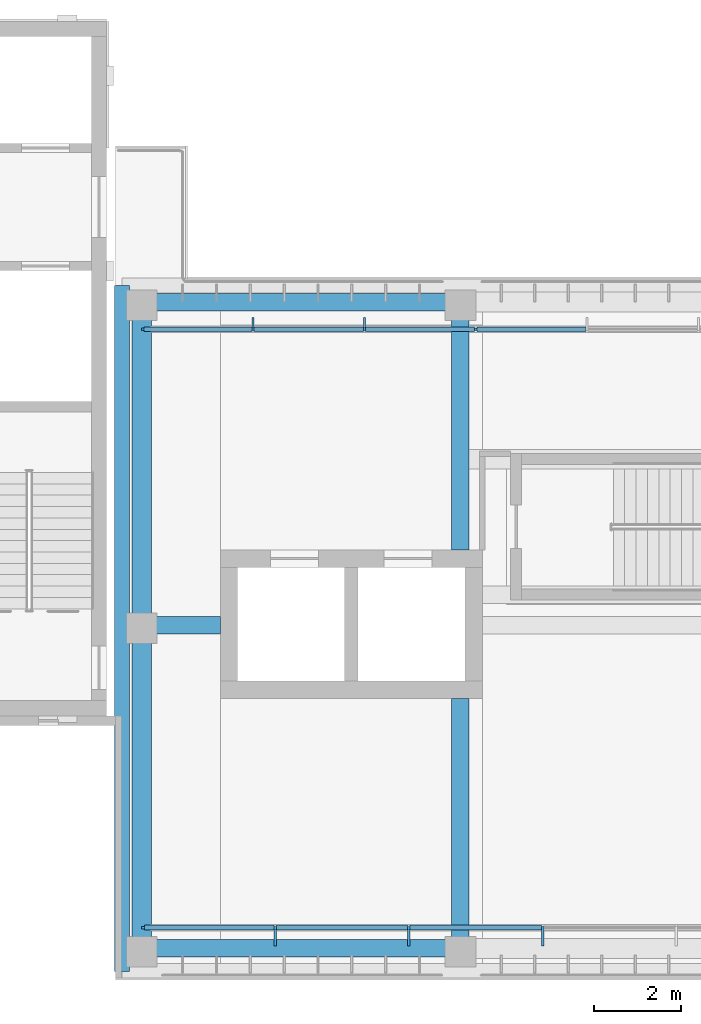
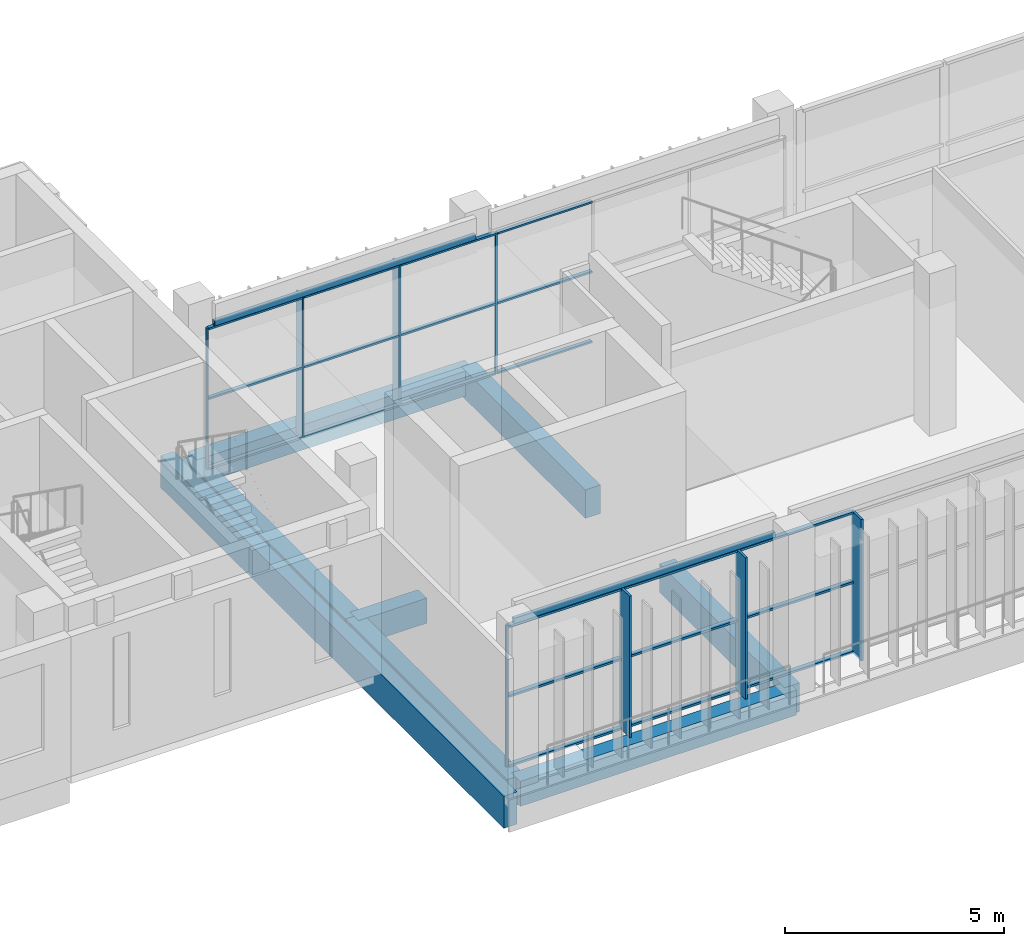
# One storey, part 2 of 46: 29 members, 10 beams, 2 elements without a shape of their own.
"""IFC4 building model written with IfcOpenShell, lengths in metres."""

from ifc_helpers import new_model, si_unit, direction, frame, origin, origin_2d, place, context, subcontext, project, spatial, rectangle, hollow_rectangle, extrude, material, material_profile, profile_set, type_object, element, aggregate, save


model = new_model("IFC4")

# Units and contexts
model_context = context("Model", 3, precision=1e-05, world=origin(), true_north=direction((0.0, 1.0)))
body_context = subcontext(model_context, "Body", "Model", "MODEL_VIEW")
ifc_project = project(units=[si_unit("LENGTHUNIT", "METRE"), si_unit("AREAUNIT", "SQUARE_METRE"), si_unit("VOLUMEUNIT", "CUBIC_METRE"), si_unit("PLANEANGLEUNIT", "RADIAN"), si_unit("MASSUNIT", "GRAM", prefix="KILO")], contexts=[model_context])

# Site, building, storey
site_placement = place(None, origin())
site = spatial("IfcSite", under=ifc_project, at=site_placement, CompositionType="ELEMENT")
building_placement = place(site_placement, origin())
building = spatial("IfcBuilding", under=site, at=building_placement, Name="Lantern Court Media Centre", CompositionType="ELEMENT")
storey_placement = place(building_placement, frame((0.0, 0.0, 28.800048828125)))
storey = spatial("IfcBuildingStorey", under=building, at=storey_placement, Name="L06", CompositionType="ELEMENT", Elevation=28.800048828125)

# Curtain wall, members
ifc_material_1 = material(Name="Curtain wall bay 2400")
curtain_wall_type_1 = type_object("IfcCurtainWallType", Name="Curtain wall bay 2400", PredefinedType="NOTDEFINED", material=ifc_material_1)
curtain_wall_1_placement = place(storey_placement, origin())
curtain_wall_1 = element("IfcCurtainWall", 1, at=curtain_wall_1_placement, inside=storey, type_object=curtain_wall_type_1, Name="Curtain wall S inner L06", PredefinedType="NOTDEFINED")
ifc_material_2 = material(Name="Anodised aluminium", Category="aluminium")
ifc_material_profile_1 = material_profile(ifc_material_2, rectangle(XDim=0.300048828125, YDim=0.050048828125, at=origin_2d()), Name="AL 50x300")
ifc_profile_set_1 = profile_set([ifc_material_profile_1], Name="Anodised aluminium")
member_type_1 = type_object("IfcMemberType", Name="Curtain wall mullion 50x300", PredefinedType="MULLION", material=ifc_profile_set_1)
member_1_placement = place(storey_placement, frame((27.25, 56.969970703125, 0.0), z_axis=(0.0, 0.0, 1.0), x_axis=(0.0, 1.0, 0.0)))
member_1 = element("IfcMember", 2, at=member_1_placement, type_object=member_type_1, Name="CW2 mullion 2", PredefinedType="MULLION", context=body_context, shape_type="SweptSolid", body=[
    extrude(rectangle(XDim=0.300048828125, YDim=0.050048828125, at=origin_2d()), origin(), (0.0, 0.0, 1.0), 3.949951171875),
])
member_2_placement = place(storey_placement, frame((29.800048828125, 56.969970703125, 0.0), z_axis=(0.0, 0.0, 1.0), x_axis=(0.0, 1.0, 0.0)))
member_2 = element("IfcMember", 3, at=member_2_placement, type_object=member_type_1, Name="CW2 mullion 3", PredefinedType="MULLION", context=body_context, shape_type="SweptSolid", body=[
    extrude(rectangle(XDim=0.300048828125, YDim=0.050048828125, at=origin_2d()), origin(), (0.0, 0.0, 1.0), 3.949951171875),
])
ifc_material_profile_2 = material_profile(ifc_material_2, rectangle(XDim=0.06005859375, YDim=0.050048828125, at=origin_2d()), Name="AL 50x60")
ifc_profile_set_2 = profile_set([ifc_material_profile_2], Name="Anodised aluminium")
member_type_2 = type_object("IfcMemberType", Name="Curtain wall mullion 50x60", PredefinedType="MULLION", material=ifc_profile_set_2)
member_3_placement = place(storey_placement, frame((24.72509765625, 56.85009765625, 0.0), z_axis=(0.0, 0.0, 1.0), x_axis=(0.0, 1.0, 0.0)))
member_3 = element("IfcMember", 4, at=member_3_placement, type_object=member_type_2, Name="CW2 mullion 1", PredefinedType="MULLION", context=body_context, shape_type="SweptSolid", body=[
    extrude(rectangle(XDim=0.06005859375, YDim=0.050048828125, at=origin_2d()), origin(), (0.0, 0.0, 1.0), 3.949951171875),
])
member_4_placement = place(storey_placement, frame((32.35009765625, 56.85009765625, 0.0), z_axis=(0.0, 0.0, 1.0), x_axis=(0.0, 1.0, 0.0)))
member_4 = element("IfcMember", 5, at=member_4_placement, type_object=member_type_2, Name="CW2 mullion 4", PredefinedType="MULLION", context=body_context, shape_type="SweptSolid", body=[
    extrude(rectangle(XDim=0.06005859375, YDim=0.050048828125, at=origin_2d()), origin(), (0.0, 0.0, 1.0), 3.949951171875),
])

ifc_material_3 = material(Name="Curtain wall bay 3000")
curtain_wall_type_2 = type_object("IfcCurtainWallType", Name="Curtain wall bay 3000", PredefinedType="NOTDEFINED", material=ifc_material_3)
curtain_wall_2_placement = place(storey_placement, origin())
curtain_wall_2 = element("IfcCurtainWall", 6, at=curtain_wall_2_placement, inside=storey, type_object=curtain_wall_type_2, Name="Curtain wall S outer L06", PredefinedType="NOTDEFINED")
ifc_material_profile_3 = material_profile(ifc_material_2, rectangle(XDim=0.449951171875, YDim=0.06005859375, at=origin_2d()), Name="AL 60x450")
ifc_profile_set_3 = profile_set([ifc_material_profile_3], Name="Anodised aluminium")
member_type_3 = type_object("IfcMemberType", Name="Curtain wall mullion 60x450", PredefinedType="MULLION", material=ifc_profile_set_3)
member_5_placement = place(storey_placement, frame((27.760009765625, 42.955078125, 0.0), z_axis=(0.0, 0.0, 1.0), x_axis=(0.0, 1.0, 0.0)))
member_5 = element("IfcMember", 7, at=member_5_placement, type_object=member_type_3, Name="CW1 mullion 2", PredefinedType="MULLION", context=body_context, shape_type="SweptSolid", body=[
    extrude(rectangle(XDim=0.449951171875, YDim=0.06005859375, at=origin_2d()), origin(), (0.0, 0.0, 1.0), 3.949951171875),
])
member_6_placement = place(storey_placement, frame((30.820068359375, 42.955078125, 0.0), z_axis=(0.0, 0.0, 1.0), x_axis=(0.0, 1.0, 0.0)))
member_6 = element("IfcMember", 8, at=member_6_placement, type_object=member_type_3, Name="CW1 mullion 3", PredefinedType="MULLION", context=body_context, shape_type="SweptSolid", body=[
    extrude(rectangle(XDim=0.449951171875, YDim=0.06005859375, at=origin_2d()), origin(), (0.0, 0.0, 1.0), 3.949951171875),
])
member_7_placement = place(storey_placement, frame((33.8798828125, 42.955078125, 0.0), z_axis=(0.0, 0.0, 1.0), x_axis=(0.0, 1.0, 0.0)))
member_7 = element("IfcMember", 9, at=member_7_placement, type_object=member_type_3, Name="CW1 mullion 4", PredefinedType="MULLION", context=body_context, shape_type="SweptSolid", body=[
    extrude(rectangle(XDim=0.449951171875, YDim=0.06005859375, at=origin_2d()), origin(), (0.0, 0.0, 1.0), 3.949951171875),
])
ifc_material_profile_4 = material_profile(ifc_material_2, rectangle(XDim=0.06005859375, YDim=0.06005859375, at=origin_2d()), Name="AL 60x60")
ifc_profile_set_4 = profile_set([ifc_material_profile_4], Name="Anodised aluminium")
member_type_4 = type_object("IfcMemberType", Name="Curtain wall mullion 60x60", PredefinedType="MULLION", material=ifc_profile_set_4)
member_8_placement = place(storey_placement, frame((24.72998046875, 43.14990234375, 0.0), z_axis=(0.0, 0.0, 1.0), x_axis=(0.0, 1.0, 0.0)))
member_8 = element("IfcMember", 10, at=member_8_placement, type_object=member_type_4, Name="CW1 mullion 1", PredefinedType="MULLION", context=body_context, shape_type="SweptSolid", body=[
    extrude(rectangle(XDim=0.06005859375, YDim=0.06005859375, at=origin_2d()), origin(), (0.0, 0.0, 1.0), 3.949951171875),
])

# Member
ifc_material_profile_5 = material_profile(ifc_material_2, rectangle(XDim=0.10009765625, YDim=0.050048828125, at=origin_2d()), Name="AL 50x100")
ifc_profile_set_5 = profile_set([ifc_material_profile_5], Name="Anodised aluminium")
member_type_5 = type_object("IfcMemberType", Name="Curtain wall transom 100x50", PredefinedType="USERDEFINED", material=ifc_profile_set_5)
member_9_placement = place(storey_placement, frame((24.75, 56.85009765625, 0.02490234375), z_axis=(1.0, 0.0, 0.0), x_axis=(0.0, 1.0, 0.0)))
member_9 = element("IfcMember", 11, at=member_9_placement, type_object=member_type_5, Name="CW2 transom 1.1", ObjectType="TRANSOM", PredefinedType="USERDEFINED", context=body_context, shape_type="SweptSolid", body=[
    extrude(rectangle(XDim=0.10009765625, YDim=0.050048828125, at=origin_2d()), origin(), (0.0, 0.0, 1.0), 2.47509765625),
])

member_10_placement = place(storey_placement, frame((24.75, 56.85009765625, 1.974853515625), z_axis=(1.0, 0.0, 0.0), x_axis=(0.0, 1.0, 0.0)))
member_10 = element("IfcMember", 12, at=member_10_placement, type_object=member_type_5, Name="CW2 transom 1.2", ObjectType="TRANSOM", PredefinedType="USERDEFINED", context=body_context, shape_type="SweptSolid", body=[
    extrude(rectangle(XDim=0.10009765625, YDim=0.050048828125, at=origin_2d()), origin(), (0.0, 0.0, 1.0), 2.47509765625),
])

member_11_placement = place(storey_placement, frame((24.75, 56.85009765625, 3.925048828125), z_axis=(1.0, 0.0, 0.0), x_axis=(0.0, 1.0, 0.0)))
member_11 = element("IfcMember", 13, at=member_11_placement, type_object=member_type_5, Name="CW2 transom 1.3", ObjectType="TRANSOM", PredefinedType="USERDEFINED", context=body_context, shape_type="SweptSolid", body=[
    extrude(rectangle(XDim=0.10009765625, YDim=0.050048828125, at=origin_2d()), origin(), (0.0, 0.0, 1.0), 2.47509765625),
])

member_12_placement = place(storey_placement, frame((27.27490234375, 56.85009765625, 0.02490234375), z_axis=(1.0, 0.0, 0.0), x_axis=(0.0, 1.0, 0.0)))
member_12 = element("IfcMember", 14, at=member_12_placement, type_object=member_type_5, Name="CW2 transom 2.1", ObjectType="TRANSOM", PredefinedType="USERDEFINED", context=body_context, shape_type="SweptSolid", body=[
    extrude(rectangle(XDim=0.10009765625, YDim=0.050048828125, at=origin_2d()), origin(), (0.0, 0.0, 1.0), 2.5),
])

member_13_placement = place(storey_placement, frame((27.27490234375, 56.85009765625, 1.974853515625), z_axis=(1.0, 0.0, 0.0), x_axis=(0.0, 1.0, 0.0)))
member_13 = element("IfcMember", 15, at=member_13_placement, type_object=member_type_5, Name="CW2 transom 2.2", ObjectType="TRANSOM", PredefinedType="USERDEFINED", context=body_context, shape_type="SweptSolid", body=[
    extrude(rectangle(XDim=0.10009765625, YDim=0.050048828125, at=origin_2d()), origin(), (0.0, 0.0, 1.0), 2.5),
])

member_14_placement = place(storey_placement, frame((27.27490234375, 56.85009765625, 3.925048828125), z_axis=(1.0, 0.0, 0.0), x_axis=(0.0, 1.0, 0.0)))
member_14 = element("IfcMember", 16, at=member_14_placement, type_object=member_type_5, Name="CW2 transom 2.3", ObjectType="TRANSOM", PredefinedType="USERDEFINED", context=body_context, shape_type="SweptSolid", body=[
    extrude(rectangle(XDim=0.10009765625, YDim=0.050048828125, at=origin_2d()), origin(), (0.0, 0.0, 1.0), 2.5),
])

member_15_placement = place(storey_placement, frame((29.824951171875, 56.85009765625, 0.02490234375), z_axis=(1.0, 0.0, 0.0), x_axis=(0.0, 1.0, 0.0)))
member_15 = element("IfcMember", 17, at=member_15_placement, type_object=member_type_5, Name="CW2 transom 3.1", ObjectType="TRANSOM", PredefinedType="USERDEFINED", context=body_context, shape_type="SweptSolid", body=[
    extrude(rectangle(XDim=0.10009765625, YDim=0.050048828125, at=origin_2d()), origin(), (0.0, 0.0, 1.0), 2.5),
])

member_16_placement = place(storey_placement, frame((29.824951171875, 56.85009765625, 1.974853515625), z_axis=(1.0, 0.0, 0.0), x_axis=(0.0, 1.0, 0.0)))
member_16 = element("IfcMember", 18, at=member_16_placement, type_object=member_type_5, Name="CW2 transom 3.2", ObjectType="TRANSOM", PredefinedType="USERDEFINED", context=body_context, shape_type="SweptSolid", body=[
    extrude(rectangle(XDim=0.10009765625, YDim=0.050048828125, at=origin_2d()), origin(), (0.0, 0.0, 1.0), 2.5),
])

member_17_placement = place(storey_placement, frame((29.824951171875, 56.85009765625, 3.925048828125), z_axis=(1.0, 0.0, 0.0), x_axis=(0.0, 1.0, 0.0)))
member_17 = element("IfcMember", 19, at=member_17_placement, type_object=member_type_5, Name="CW2 transom 3.3", ObjectType="TRANSOM", PredefinedType="USERDEFINED", context=body_context, shape_type="SweptSolid", body=[
    extrude(rectangle(XDim=0.10009765625, YDim=0.050048828125, at=origin_2d()), origin(), (0.0, 0.0, 1.0), 2.5),
])

member_18_placement = place(storey_placement, frame((32.375, 56.85009765625, 0.02490234375), z_axis=(1.0, 0.0, 0.0), x_axis=(0.0, 1.0, 0.0)))
member_18 = element("IfcMember", 20, at=member_18_placement, type_object=member_type_5, Name="CW2 transom 4.1", ObjectType="TRANSOM", PredefinedType="USERDEFINED", context=body_context, shape_type="SweptSolid", body=[
    extrude(rectangle(XDim=0.10009765625, YDim=0.050048828125, at=origin_2d()), origin(), (0.0, 0.0, 1.0), 2.5),
])

member_19_placement = place(storey_placement, frame((32.375, 56.85009765625, 1.974853515625), z_axis=(1.0, 0.0, 0.0), x_axis=(0.0, 1.0, 0.0)))
member_19 = element("IfcMember", 21, at=member_19_placement, type_object=member_type_5, Name="CW2 transom 4.2", ObjectType="TRANSOM", PredefinedType="USERDEFINED", context=body_context, shape_type="SweptSolid", body=[
    extrude(rectangle(XDim=0.10009765625, YDim=0.050048828125, at=origin_2d()), origin(), (0.0, 0.0, 1.0), 2.5),
])

member_20_placement = place(storey_placement, frame((32.375, 56.85009765625, 3.925048828125), z_axis=(1.0, 0.0, 0.0), x_axis=(0.0, 1.0, 0.0)))
member_20 = element("IfcMember", 22, at=member_20_placement, type_object=member_type_5, Name="CW2 transom 4.3", ObjectType="TRANSOM", PredefinedType="USERDEFINED", context=body_context, shape_type="SweptSolid", body=[
    extrude(rectangle(XDim=0.10009765625, YDim=0.050048828125, at=origin_2d()), origin(), (0.0, 0.0, 1.0), 2.5),
])

aggregate(curtain_wall_1, [member_3, member_1, member_2, member_4, member_9, member_10, member_11, member_12, member_13, member_14, member_15, member_16, member_17, member_18, member_19, member_20])

ifc_material_profile_6 = material_profile(ifc_material_2, rectangle(XDim=0.1201171875, YDim=0.06005859375, at=origin_2d()), Name="AL 60x120")
ifc_profile_set_6 = profile_set([ifc_material_profile_6], Name="Anodised aluminium")
member_type_6 = type_object("IfcMemberType", Name="Curtain wall transom 60x120", PredefinedType="USERDEFINED", material=ifc_profile_set_6)
member_21_placement = place(storey_placement, frame((24.760009765625, 43.14990234375, 0.030029296875), z_axis=(1.0, 0.0, 0.0), x_axis=(0.0, 1.0, 0.0)))
member_21 = element("IfcMember", 23, at=member_21_placement, type_object=member_type_6, Name="CW1 transom 1.1", ObjectType="TRANSOM", PredefinedType="USERDEFINED", context=body_context, shape_type="SweptSolid", body=[
    extrude(rectangle(XDim=0.1201171875, YDim=0.06005859375, at=origin_2d()), origin(), (0.0, 0.0, 1.0), 2.969970703125),
])

member_22_placement = place(storey_placement, frame((24.760009765625, 43.14990234375, 1.974853515625), z_axis=(1.0, 0.0, 0.0), x_axis=(0.0, 1.0, 0.0)))
member_22 = element("IfcMember", 24, at=member_22_placement, type_object=member_type_6, Name="CW1 transom 1.2", ObjectType="TRANSOM", PredefinedType="USERDEFINED", context=body_context, shape_type="SweptSolid", body=[
    extrude(rectangle(XDim=0.1201171875, YDim=0.06005859375, at=origin_2d()), origin(), (0.0, 0.0, 1.0), 2.969970703125),
])

member_23_placement = place(storey_placement, frame((24.760009765625, 43.14990234375, 3.919921875), z_axis=(1.0, 0.0, 0.0), x_axis=(0.0, 1.0, 0.0)))
member_23 = element("IfcMember", 25, at=member_23_placement, type_object=member_type_6, Name="CW1 transom 1.3", ObjectType="TRANSOM", PredefinedType="USERDEFINED", context=body_context, shape_type="SweptSolid", body=[
    extrude(rectangle(XDim=0.1201171875, YDim=0.06005859375, at=origin_2d()), origin(), (0.0, 0.0, 1.0), 2.969970703125),
])

member_24_placement = place(storey_placement, frame((27.7900390625, 43.14990234375, 0.030029296875), z_axis=(1.0, 0.0, 0.0), x_axis=(0.0, 1.0, 0.0)))
member_24 = element("IfcMember", 26, at=member_24_placement, type_object=member_type_6, Name="CW1 transom 2.1", ObjectType="TRANSOM", PredefinedType="USERDEFINED", context=body_context, shape_type="SweptSolid", body=[
    extrude(rectangle(XDim=0.1201171875, YDim=0.06005859375, at=origin_2d()), origin(), (0.0, 0.0, 1.0), 3.0),
])

member_25_placement = place(storey_placement, frame((27.7900390625, 43.14990234375, 1.974853515625), z_axis=(1.0, 0.0, 0.0), x_axis=(0.0, 1.0, 0.0)))
member_25 = element("IfcMember", 27, at=member_25_placement, type_object=member_type_6, Name="CW1 transom 2.2", ObjectType="TRANSOM", PredefinedType="USERDEFINED", context=body_context, shape_type="SweptSolid", body=[
    extrude(rectangle(XDim=0.1201171875, YDim=0.06005859375, at=origin_2d()), origin(), (0.0, 0.0, 1.0), 3.0),
])

member_26_placement = place(storey_placement, frame((27.7900390625, 43.14990234375, 3.919921875), z_axis=(1.0, 0.0, 0.0), x_axis=(0.0, 1.0, 0.0)))
member_26 = element("IfcMember", 28, at=member_26_placement, type_object=member_type_6, Name="CW1 transom 2.3", ObjectType="TRANSOM", PredefinedType="USERDEFINED", context=body_context, shape_type="SweptSolid", body=[
    extrude(rectangle(XDim=0.1201171875, YDim=0.06005859375, at=origin_2d()), origin(), (0.0, 0.0, 1.0), 3.0),
])

member_27_placement = place(storey_placement, frame((30.85009765625, 43.14990234375, 0.030029296875), z_axis=(1.0, 0.0, 0.0), x_axis=(0.0, 1.0, 0.0)))
member_27 = element("IfcMember", 29, at=member_27_placement, type_object=member_type_6, Name="CW1 transom 3.1", ObjectType="TRANSOM", PredefinedType="USERDEFINED", context=body_context, shape_type="SweptSolid", body=[
    extrude(rectangle(XDim=0.1201171875, YDim=0.06005859375, at=origin_2d()), origin(), (0.0, 0.0, 1.0), 3.0),
])

member_28_placement = place(storey_placement, frame((30.85009765625, 43.14990234375, 1.974853515625), z_axis=(1.0, 0.0, 0.0), x_axis=(0.0, 1.0, 0.0)))
member_28 = element("IfcMember", 30, at=member_28_placement, type_object=member_type_6, Name="CW1 transom 3.2", ObjectType="TRANSOM", PredefinedType="USERDEFINED", context=body_context, shape_type="SweptSolid", body=[
    extrude(rectangle(XDim=0.1201171875, YDim=0.06005859375, at=origin_2d()), origin(), (0.0, 0.0, 1.0), 3.0),
])

member_29_placement = place(storey_placement, frame((30.85009765625, 43.14990234375, 3.919921875), z_axis=(1.0, 0.0, 0.0), x_axis=(0.0, 1.0, 0.0)))
member_29 = element("IfcMember", 31, at=member_29_placement, type_object=member_type_6, Name="CW1 transom 3.3", ObjectType="TRANSOM", PredefinedType="USERDEFINED", context=body_context, shape_type="SweptSolid", body=[
    extrude(rectangle(XDim=0.1201171875, YDim=0.06005859375, at=origin_2d()), origin(), (0.0, 0.0, 1.0), 3.0),
])

aggregate(curtain_wall_2, [member_8, member_5, member_6, member_7, member_21, member_22, member_23, member_24, member_25, member_26, member_27, member_28, member_29])

# Beams
ifc_material_4 = material(Name="Steel S355J2 (EN 10025-2)", Category="steel")
ifc_material_profile_7 = material_profile(ifc_material_4, hollow_rectangle(XDim=0.10009765625, YDim=0.14990234375, WallThickness=0.00634765625, InnerFilletRadius=0.00634765625, OuterFilletRadius=0.009521484375, at=origin_2d()), Name="Facade head lintel RHS 150x100x6.3")
ifc_profile_set_7 = profile_set([ifc_material_profile_7], Name="Steel S355J2 (EN 10025-2)")
beam_type_1 = type_object("IfcBeamType", Name="Facade head lintel RHS 150x100x6.3", PredefinedType="BEAM", material=ifc_profile_set_7)
for number, where, z_axis, x_axis, name in (
    (32, (24.89990234375, 43.14990234375, 4.02490234375), (1.0, 0.0, 0.0), (0.0, 1.0, 0.0), "Facade head lintel S L06"),
    (33, (24.89990234375, 56.85009765625, 4.02490234375), (1.0, 0.0, 0.0), (0.0, 1.0, 0.0), "Facade head lintel S L06"),
):
    element("IfcBeam", number, at=place(storey_placement, frame(where, z_axis=z_axis, x_axis=x_axis)), inside=storey, type_object=beam_type_1, Name=name, PredefinedType="BEAM", context=body_context, shape_type="SweptSolid", body=[
        extrude(hollow_rectangle(XDim=0.10009765625, YDim=0.14990234375, WallThickness=0.00634765625, InnerFilletRadius=0.00634765625, OuterFilletRadius=0.009521484375, at=origin_2d()), origin(), (0.0, 0.0, 1.0), 6.900146484375),
    ])
ifc_material_5 = material(Name="Concrete C35", Category="concrete")
ifc_material_profile_8 = material_profile(ifc_material_5, rectangle(XDim=0.35009765625, YDim=0.89990234375, at=origin_2d()), Name="RC 350x900")
ifc_profile_set_8 = profile_set([ifc_material_profile_8], Name="Concrete C35")
beam_type_2 = type_object("IfcBeamType", Name="RC BEAM 350x900", PredefinedType="BEAM", material=ifc_profile_set_8)
beam_1_placement = place(storey_placement, frame((24.25, 42.14990234375, -0.449951171875), z_axis=(0.0, 1.0, 0.0), x_axis=(-1.0, 0.0, 0.0)))
element("IfcBeam", 34, at=beam_1_placement, inside=storey, type_object=beam_type_2, Name="EB-S-L06-C", PredefinedType="BEAM", context=body_context, shape_type="SweptSolid", body=[
    extrude(rectangle(XDim=0.35009765625, YDim=0.89990234375, at=origin_2d()), origin(), (0.0, 0.0, 1.0), 15.7001953125),
])
ifc_material_profile_9 = material_profile(ifc_material_5, rectangle(XDim=0.39990234375, YDim=0.699951171875, at=origin_2d()), Name="RC 400x700")
ifc_profile_set_9 = profile_set([ifc_material_profile_9], Name="Concrete C35")
beam_type_3 = type_object("IfcBeamType", Name="RC BEAM 400x700", PredefinedType="BEAM", material=ifc_profile_set_9)
beam_2_placement = place(storey_placement, frame((24.699951171875, 42.6728515625, -0.35009765625), z_axis=(1.0, 0.0, 0.0), x_axis=(0.0, 1.0, 0.0)))
element("IfcBeam", 35, at=beam_2_placement, inside=storey, type_object=beam_type_3, Name="LB-S-L06-0-0", PredefinedType="BEAM", context=body_context, shape_type="SweptSolid", body=[
    extrude(rectangle(XDim=0.39990234375, YDim=0.699951171875, at=origin_2d()), origin(), (0.0, 0.0, 1.0), 7.300048828125),
])
beam_3_placement = place(storey_placement, frame((24.699951171875, 50.072998046875, -0.35009765625), z_axis=(1.0, 0.0, 0.0), x_axis=(0.0, 1.0, 0.0)))
element("IfcBeam", 36, at=beam_3_placement, inside=storey, type_object=beam_type_3, Name="LB-S-L06-1-0", PredefinedType="BEAM", context=body_context, shape_type="SweptSolid", body=[
    extrude(rectangle(XDim=0.39990234375, YDim=0.699951171875, at=origin_2d()), origin(), (0.0, 0.0, 1.0), 1.800048828125),
])
beam_4_placement = place(storey_placement, frame((24.699951171875, 57.472900390625, -0.35009765625), z_axis=(1.0, 0.0, 0.0), x_axis=(0.0, 1.0, 0.0)))
element("IfcBeam", 37, at=beam_4_placement, inside=storey, type_object=beam_type_3, Name="LB-S-L06-2-0", PredefinedType="BEAM", context=body_context, shape_type="SweptSolid", body=[
    extrude(rectangle(XDim=0.39990234375, YDim=0.699951171875, at=origin_2d()), origin(), (0.0, 0.0, 1.0), 7.300048828125),
])
ifc_material_profile_10 = material_profile(ifc_material_5, rectangle(XDim=0.39990234375, YDim=0.800048828125, at=origin_2d()), Name="RC 400x800")
ifc_profile_set_10 = profile_set([ifc_material_profile_10], Name="Concrete C35")
beam_type_4 = type_object("IfcBeamType", Name="RC BEAM 400x800", PredefinedType="BEAM", material=ifc_profile_set_10)
beam_5_placement = place(storey_placement, frame((32.0, 42.683349609375, -0.400146484375), z_axis=(0.0, 1.0, 0.0), x_axis=(-1.0, 0.0, 0.0)))
element("IfcBeam", 38, at=beam_5_placement, inside=storey, type_object=beam_type_4, Name="TB-S-L06-1-1", PredefinedType="BEAM", context=body_context, shape_type="SweptSolid", body=[
    extrude(rectangle(XDim=0.39990234375, YDim=0.800048828125, at=origin_2d()), origin(), (0.0, 0.0, 1.0), 5.716552734375),
])
beam_6_placement = place(storey_placement, frame((32.0, 51.800048828125, -0.400146484375), z_axis=(0.0, 1.0, 0.0), x_axis=(-1.0, 0.0, 0.0)))
element("IfcBeam", 39, at=beam_6_placement, inside=storey, type_object=beam_type_4, Name="TB-S-L06-1-11", PredefinedType="BEAM", context=body_context, shape_type="SweptSolid", body=[
    extrude(rectangle(XDim=0.39990234375, YDim=0.800048828125, at=origin_2d()), origin(), (0.0, 0.0, 1.0), 5.683349609375),
])
ifc_material_profile_11 = material_profile(ifc_material_5, rectangle(XDim=0.449951171875, YDim=0.800048828125, at=origin_2d()), Name="RC 450x800")
ifc_profile_set_11 = profile_set([ifc_material_profile_11], Name="Concrete C35")
beam_type_5 = type_object("IfcBeamType", Name="RC BEAM 450x800", PredefinedType="BEAM", material=ifc_profile_set_11)
beam_7_placement = place(storey_placement, frame((24.699951171875, 42.683349609375, -0.400146484375), z_axis=(0.0, 1.0, 0.0), x_axis=(-1.0, 0.0, 0.0)))
element("IfcBeam", 40, at=beam_7_placement, inside=storey, type_object=beam_type_5, Name="TB-S-L06-0-1", PredefinedType="BEAM", context=body_context, shape_type="SweptSolid", body=[
    extrude(rectangle(XDim=0.449951171875, YDim=0.800048828125, at=origin_2d()), origin(), (0.0, 0.0, 1.0), 7.39990234375),
])
beam_8_placement = place(storey_placement, frame((24.699951171875, 50.083251953125, -0.400146484375), z_axis=(0.0, 1.0, 0.0), x_axis=(-1.0, 0.0, 0.0)))
element("IfcBeam", 41, at=beam_8_placement, inside=storey, type_object=beam_type_5, Name="TB-S-L06-0-2", PredefinedType="BEAM", context=body_context, shape_type="SweptSolid", body=[
    extrude(rectangle(XDim=0.449951171875, YDim=0.800048828125, at=origin_2d()), origin(), (0.0, 0.0, 1.0), 7.400146484375),
])

save(model, "model.ifc")
